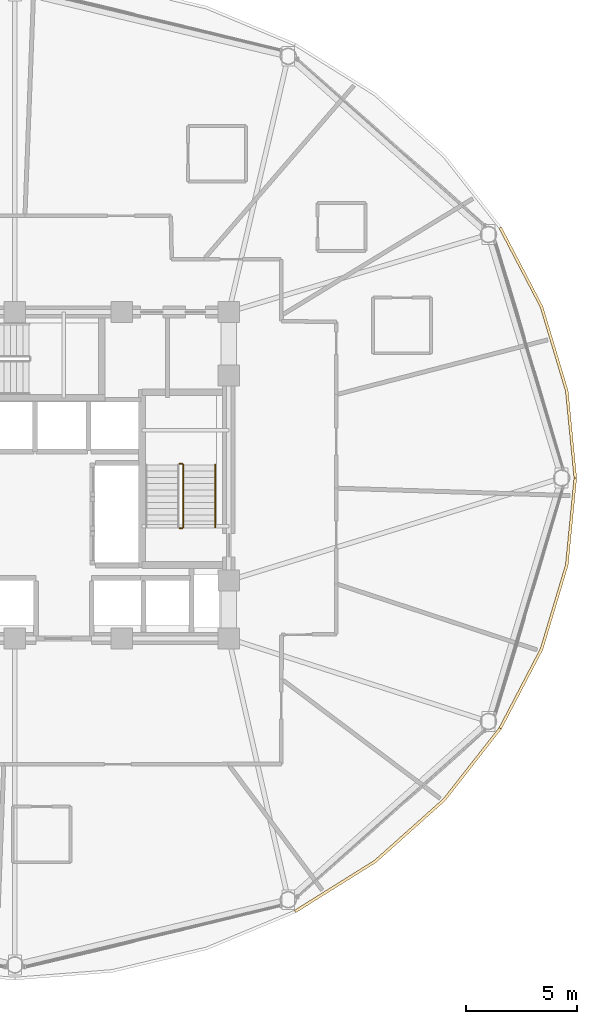
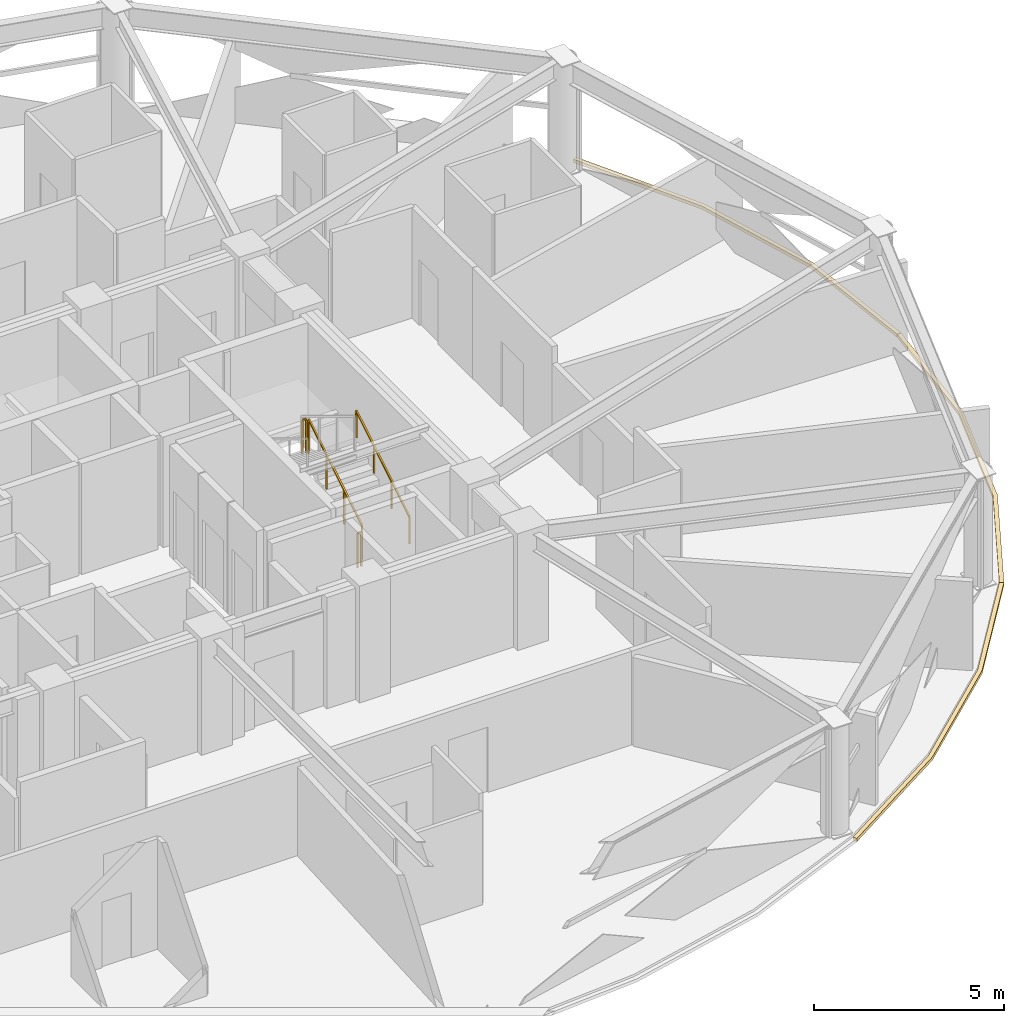
# One storey, part 28 of 29: 4 railings, 3 coverings.
"""IFC4 building model written with IfcOpenShell, lengths in metres."""

from ifc_helpers import new_model, si_unit, direction, frame, origin, origin_2d, place, context, subcontext, project, spatial, polyline, rectangle, outline, extrude, material, layer, layer_set, type_object, element, save


model = new_model("IFC4")

# Units and contexts
model_context = context("Model", 3, precision=1e-05, world=origin(), true_north=direction((0.0, 1.0)))
body_context = subcontext(model_context, "Body", "Model", "MODEL_VIEW")
ifc_project = project(units=[si_unit("LENGTHUNIT", "METRE"), si_unit("AREAUNIT", "SQUARE_METRE"), si_unit("VOLUMEUNIT", "CUBIC_METRE"), si_unit("PLANEANGLEUNIT", "RADIAN"), si_unit("MASSUNIT", "GRAM", prefix="KILO")], contexts=[model_context])

# Site, building, storey
site_placement = place(None, origin())
site = spatial("IfcSite", under=ifc_project, at=site_placement, CompositionType="ELEMENT")
building_placement = place(site_placement, origin())
building = spatial("IfcBuilding", under=site, at=building_placement, Name="Vantalir Tower", CompositionType="ELEMENT")
storey_placement = place(building_placement, frame((0.0, 0.0, 168.449951171875)))
storey = spatial("IfcBuildingStorey", under=building, at=storey_placement, Name="L42", CompositionType="ELEMENT", Elevation=168.449951171875)

# Coverings
ifc_material_1 = material(Name="Anodised champagne aluminium sill fascia", Category="aluminium")
ifc_layer = layer(ifc_material_1, 0.125)
ifc_layer_set = layer_set([ifc_layer], Name="Anodised champagne aluminium sill fascia")
covering_type = type_object("IfcCoveringType", Name="COV-SLAB-FASCIA-125", PredefinedType="CLADDING", material=ifc_layer_set)
covering_1_placement = place(storey_placement, frame((0.0, 0.0, -0.179931640625)))
element("IfcCovering", 1, at=covering_1_placement, inside=storey, type_object=covering_type, Name="L42 Perimeter Slab-Edge Sill Fascia 01", PredefinedType="CLADDING", context=body_context, shape_type="SweptSolid", body=[
    extrude(outline(polyline([(56.7109375, 25.0), (56.327880859375, 28.910888671875), (55.19091796875, 32.702880859375), (53.3330078125, 36.260986328125), (53.22509765625, 36.198974609375), (55.072998046875, 32.660888671875), (56.205078125, 28.888916015625), (56.5859375, 25.0), (56.7109375, 25.0)])), origin(), (0.0, 0.0, 1.0), 0.10498046875),
])
covering_2_placement = place(storey_placement, frame((0.0, 0.0, -0.179931640625)))
element("IfcCovering", 2, at=covering_2_placement, inside=storey, type_object=covering_type, Name="L42 Perimeter Slab-Edge Sill Fascia 11", PredefinedType="CLADDING", context=body_context, shape_type="SweptSolid", body=[
    extrude(outline(polyline([(44.10595703125, 5.4951171875), (47.705078125, 7.74609375), (50.81298828125, 10.52197265625), (53.3330078125, 13.738037109375), (53.22509765625, 13.801025390625), (50.717041015625, 10.60302734375), (47.625, 7.842041015625), (44.04296875, 5.60302734375), (44.10595703125, 5.4951171875)])), origin(), (0.0, 0.0, 1.0), 0.10498046875),
])
covering_3_placement = place(storey_placement, frame((0.0, 0.0, -0.179931640625)))
element("IfcCovering", 3, at=covering_3_placement, inside=storey, type_object=covering_type, Name="L42 Perimeter Slab-Edge Sill Fascia 12", PredefinedType="CLADDING", context=body_context, shape_type="SweptSolid", body=[
    extrude(outline(polyline([(53.3330078125, 13.738037109375), (55.19091796875, 17.297119140625), (56.327880859375, 21.089111328125), (56.7109375, 25.0), (56.5859375, 25.0), (56.205078125, 21.111083984375), (55.072998046875, 17.339111328125), (53.22509765625, 13.801025390625), (53.3330078125, 13.738037109375)])), origin(), (0.0, 0.0, 1.0), 0.10498046875),
])

# Railings
ifc_material_2 = material(Name="Anodised aluminium and stainless steel guard", Category="steel")
railing_type_1 = type_object("IfcRailingType", Name="RAL-GUARD-1120", PredefinedType="GUARDRAIL", material=ifc_material_2)
railing_1_placement = place(storey_placement, frame((39.06005859375, 22.7900390625, 0.17041015625)))
element("IfcRailing", 4, at=railing_1_placement, inside=storey, type_object=railing_type_1, Name="L42 ST2 stair guard 1", PredefinedType="GUARDRAIL", context=body_context, shape_type="SweptSolid", body=[
    extrude(rectangle(XDim=0.048095703125, YDim=0.048095703125, at=origin_2d()), frame((0.0, 0.0, 1.09619140625), z_axis=(0.0, 0.854169791009, 0.51999420009), x_axis=(-1.0, 0.0, 0.0)), (0.0, 0.0, 1.0), 3.278076171875),
    extrude(rectangle(XDim=0.0419921875, YDim=0.0419921875, at=origin_2d()), origin(), (0.0, 0.0, 1.0), 1.072021484375),
    extrude(rectangle(XDim=0.0419921875, YDim=0.0419921875, at=origin_2d()), frame((0.0, 0.933349609375, 0.568115234375)), (0.0, 0.0, 1.0), 1.072021484375),
    extrude(rectangle(XDim=0.0419921875, YDim=0.0419921875, at=origin_2d()), frame((0.0, 1.86669921875, 1.136474609375)), (0.0, 0.0, 1.0), 1.072021484375),
    extrude(rectangle(XDim=0.0419921875, YDim=0.0419921875, at=origin_2d()), frame((0.0, 2.800048828125, 1.70458984375)), (0.0, 0.0, 1.0), 1.072021484375),
])
for number, where, name in (
    (5, (39.010009765625, 25.639892578125, 1.875), "L42 ST2 stair guard 2"),
    (6, (39.010009765625, 22.739990234375, 0.0), "L42 ST2 stair guard 4"),
):
    element("IfcRailing", number, at=place(storey_placement, frame(where)), inside=storey, type_object=railing_type_1, Name=name, PredefinedType="GUARDRAIL", context=body_context, shape_type="SweptSolid", body=[
        extrude(rectangle(XDim=0.048095703125, YDim=0.048095703125, at=origin_2d()), frame((0.0, 0.0, 1.09619140625), z_axis=(-1.0, 0.0, 0.0), x_axis=(0.0, -1.0, 0.0)), (0.0, 0.0, 1.0), 0.1201171875),
        extrude(rectangle(XDim=0.0419921875, YDim=0.0419921875, at=origin_2d()), origin(), (0.0, 0.0, 1.0), 1.072021484375),
        extrude(rectangle(XDim=0.0419921875, YDim=0.0419921875, at=origin_2d()), frame((-0.1201171875, 0.0, 0.0)), (0.0, 0.0, 1.0), 1.072021484375),
    ])
ifc_material_3 = material(Name="Brushed stainless steel tubular handrail", Category="steel")
railing_type_2 = type_object("IfcRailingType", Name="RAL-HANDRAIL-900", PredefinedType="HANDRAIL", material=ifc_material_3)
railing_2_placement = place(storey_placement, frame((40.5, 22.7900390625, 0.17041015625)))
element("IfcRailing", 7, at=railing_2_placement, inside=storey, type_object=railing_type_2, Name="L42 ST2 stair handrail 1", PredefinedType="HANDRAIL", context=body_context, shape_type="SweptSolid", body=[
    extrude(rectangle(XDim=0.048095703125, YDim=0.048095703125, at=origin_2d()), frame((0.0, 0.0, 0.8759765625), z_axis=(0.0, 0.854169791009, 0.51999420009), x_axis=(-1.0, 0.0, 0.0)), (0.0, 0.0, 1.0), 3.278076171875),
    extrude(rectangle(XDim=0.0419921875, YDim=0.0419921875, at=origin_2d()), origin(), (0.0, 0.0, 1.0), 0.851806640625),
    extrude(rectangle(XDim=0.0419921875, YDim=0.0419921875, at=origin_2d()), frame((0.0, 0.933349609375, 0.568115234375)), (0.0, 0.0, 1.0), 0.851806640625),
    extrude(rectangle(XDim=0.0419921875, YDim=0.0419921875, at=origin_2d()), frame((0.0, 1.86669921875, 1.136474609375)), (0.0, 0.0, 1.0), 0.851806640625),
    extrude(rectangle(XDim=0.0419921875, YDim=0.0419921875, at=origin_2d()), frame((0.0, 2.800048828125, 1.70458984375)), (0.0, 0.0, 1.0), 0.851806640625),
])

save(model, "model.ifc")
